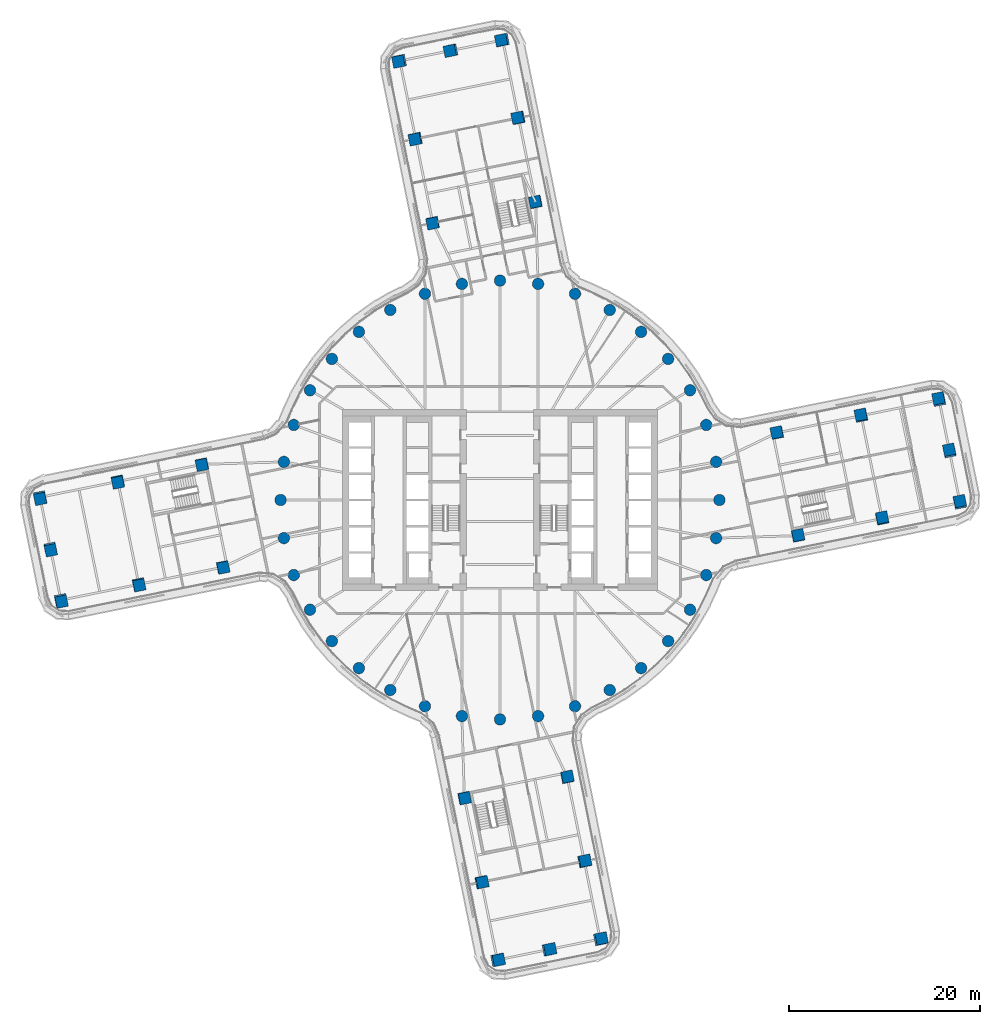
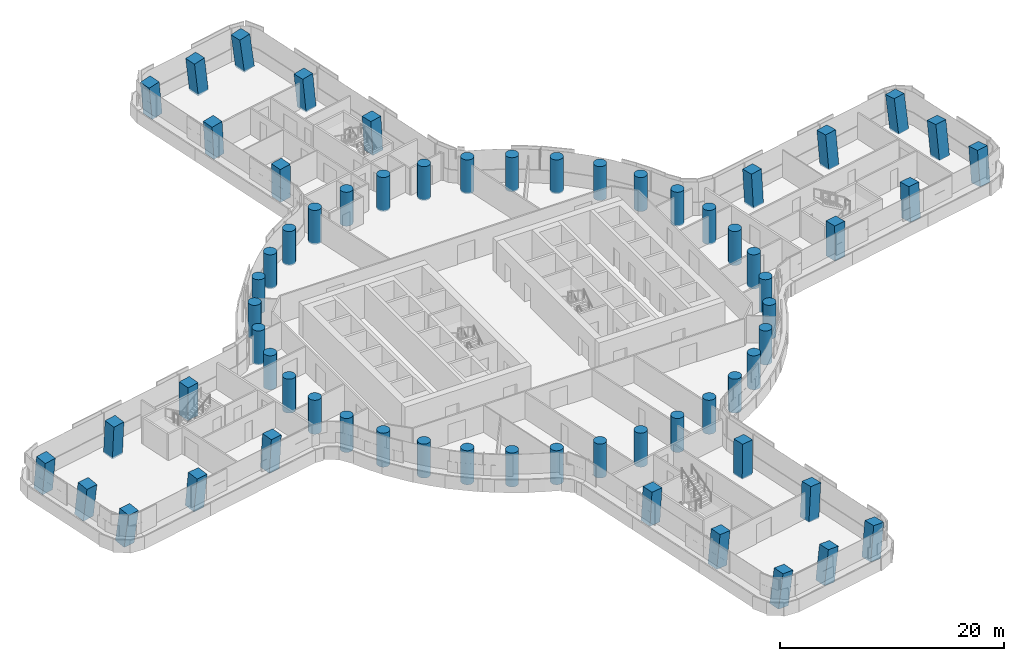
# One storey, part 1 of 31: 64 columns.
"""IFC4 building model written with IfcOpenShell, lengths in metres."""

import ifcopenshell
import ifcopenshell.guid

model = None  # the IFC model being written
_history = None  # IfcOwnerHistory: only IFC2X3 demands one
_inside = {}  # id of a spatial element -> (the spatial element, [elements in it])
_under = {}  # id of a project, library or spatial element -> (it, [spatial elements below it])
_declared = {}  # id of a project -> (the project, [libraries it declares])
_typed = {}  # id of a type object -> (the type object, [elements of that type])
_made_of = {}  # id of a material, layer set ... -> (it, [elements and type objects made of it])


def new_model(schema):
    """Start an empty IFC model of exactly this schema.

    Asked for "IFC4X3", IfcOpenShell would pick the latest addendum, in which some entities
    have other attributes; the version numbers below select the first issue.
    IFC2X3 requires an IfcOwnerHistory on every rooted entity: one is made here for all.
    """
    global model, _history
    if schema == "IFC4X3":
        model = ifcopenshell.file(schema_version=(4, 3, 0, 0))
    else:
        model = ifcopenshell.file(schema=schema)
    _inside.clear()
    _under.clear()
    _declared.clear()
    _typed.clear()
    _made_of.clear()
    _history = None
    if model.schema == "IFC2X3":
        org = make("IfcOrganization", Name="unknown")
        user = make(
            "IfcPersonAndOrganization",
            ThePerson=make("IfcPerson", FamilyName="unknown"),
            TheOrganization=org,
        )
        app = make(
            "IfcApplication",
            ApplicationDeveloper=org,
            Version="unknown",
            ApplicationFullName="unknown",
            ApplicationIdentifier="unknown",
        )
        _history = make(
            "IfcOwnerHistory",
            OwningUser=user,
            OwningApplication=app,
            ChangeAction="ADDED",
            CreationDate=0,
        )
    return model


def make(cls, **values):
    """One entity of the class cls with the attributes given. An attribute that is None is left unset."""
    return model.create_entity(
        cls, **{name: value for name, value in values.items() if value is not None}
    )


def rooted(cls, **values):
    """An entity with a GlobalId (a new one), such as an element, a storey or a relation."""
    return make(cls, GlobalId=ifcopenshell.guid.new(), OwnerHistory=_history, **values)


def si_unit(unit_type, name, prefix=None):
    """IfcSIUnit, for example si_unit("LENGTHUNIT", "METRE", prefix="MILLI")."""
    return make("IfcSIUnit", UnitType=unit_type, Prefix=prefix, Name=name)


def assignment(units):
    """IfcUnitAssignment: the units of a project."""
    return None if units is None else make("IfcUnitAssignment", Units=units)


def point(xyz):
    """IfcCartesianPoint."""
    return None if xyz is None else make("IfcCartesianPoint", Coordinates=xyz)


def direction(xyz):
    """IfcDirection."""
    return None if xyz is None else make("IfcDirection", DirectionRatios=xyz)


def frame(location, z_axis=None, x_axis=None):
    """IfcAxis2Placement3D, a coordinate frame: its origin and axes. An axis left out is left unset."""
    return make(
        "IfcAxis2Placement3D",
        Location=point(location),
        Axis=direction(z_axis),
        RefDirection=direction(x_axis),
    )


def frame_2d(location, x_axis=None):
    """IfcAxis2Placement2D, a coordinate frame in the plane: its origin and x axis."""
    return make(
        "IfcAxis2Placement2D", Location=point(location), RefDirection=direction(x_axis)
    )


def origin():
    """The frame at (0, 0, 0) with its axes left unset."""
    return frame((0.0, 0.0, 0.0))


def origin_2d():
    """The frame at (0, 0) in the plane with its x axis left unset."""
    return frame_2d((0.0, 0.0))


def place(relative_to, where):
    """IfcLocalPlacement: puts the frame where relative to a parent placement (None: the world)."""
    return make(
        "IfcLocalPlacement", PlacementRelTo=relative_to, RelativePlacement=where
    )


def context(
    kind, dimensions, precision=None, world=None, true_north=None, identifier=None
):
    """IfcGeometricRepresentationContext, for example the 3D "Model" context."""
    return make(
        "IfcGeometricRepresentationContext",
        ContextIdentifier=identifier,
        ContextType=kind,
        CoordinateSpaceDimension=dimensions,
        Precision=precision,
        WorldCoordinateSystem=world,
        TrueNorth=true_north,
    )


def subcontext(parent, identifier, kind, view, scale=None):
    """IfcGeometricRepresentationSubContext, for example "Body" below "Model"."""
    return make(
        "IfcGeometricRepresentationSubContext",
        ContextIdentifier=identifier,
        ContextType=kind,
        ParentContext=parent,
        TargetScale=scale,
        TargetView=view,
    )


def project(units=None, contexts=None):
    """IfcProject with its units and contexts."""
    return rooted(
        "IfcProject",
        Name="project",
        RepresentationContexts=contexts,
        UnitsInContext=assignment(units),
    )


def spatial(cls, under=None, at=None, **own):
    """A site, building, storey or space (cls), placed at a placement, below another one or the project."""
    s = rooted(cls, ObjectPlacement=at, **own)
    if under is not None:
        _under.setdefault(under.id(), (under, []))[1].append(s)
    return s


def profile(cls, at=None, kind="AREA", **sizes):
    """A parametric profile (cls). Its sizes go by their IFC names, for example OverallWidth=200.0."""
    return make(cls, ProfileType=kind, Position=at, **sizes)


def rectangle(**sizes):
    """IfcRectangleProfileDef."""
    return profile("IfcRectangleProfileDef", **sizes)


def circle(**sizes):
    """IfcCircleProfileDef."""
    return profile("IfcCircleProfileDef", **sizes)


def extrude(swept, where, along, depth):
    """IfcExtrudedAreaSolid: the profile swept, set in the frame where, extruded along a direction by depth."""
    return make(
        "IfcExtrudedAreaSolid",
        SweptArea=swept,
        Position=where,
        ExtrudedDirection=direction(along),
        Depth=depth,
    )


def shape(context_of_items, identifier, shape_type, items):
    """IfcShapeRepresentation: the items that make up one representation, for example the "Body"."""
    return make(
        "IfcShapeRepresentation",
        ContextOfItems=context_of_items,
        RepresentationIdentifier=identifier,
        RepresentationType=shape_type,
        Items=items,
    )


def material(Name=None, Category=None):
    """IfcMaterial."""
    return make("IfcMaterial", Name=Name, Category=Category)


def material_profile(
    of_material, cross_section, Name=None, Category=None, Priority=None
):
    """IfcMaterialProfile: a cross section and its material."""
    return make(
        "IfcMaterialProfile",
        Name=Name,
        Material=of_material,
        Profile=cross_section,
        Priority=Priority,
        Category=Category,
    )


def profile_set(profiles, Name=None, composite=None):
    """IfcMaterialProfileSet."""
    return make(
        "IfcMaterialProfileSet",
        Name=Name,
        MaterialProfiles=profiles,
        CompositeProfile=composite,
    )


def made_of(thing, what):
    """Note that an element or type object is made of a material, layer set ...; save() writes the relation."""
    if what is not None:
        _made_of.setdefault(what.id(), (what, []))[1].append(thing)
    return thing


def type_object(cls, material=None, **own):
    """A type object (cls), such as IfcWallType, which elements share."""
    return made_of(rooted(cls, **own), material)


def element(
    cls,
    number,
    at=None,
    inside=None,
    cuts=None,
    type_object=None,
    material=None,
    context=None,
    identifier="Body",
    shape_type=None,
    held_by="IfcProductDefinitionShape",
    body=None,
    shapes=None,
    **own,
):
    """One element of the class cls, such as IfcWall. Its Tag is "e" and its number.

    at: its placement. inside: the storey or other place that contains it. cuts: it is an
    opening in that element (IfcRelVoidsElement). A single representation is given by context,
    identifier, shape_type and body (its items); several are given by shapes. held_by: the class
    of the entity that holds the representations. save() writes the other relations.
    """
    e = rooted(cls, Tag="e%d" % number, ObjectPlacement=at, **own)
    if body is not None:
        shapes = [shape(context, identifier, shape_type, body)]
    if shapes is not None:
        e.Representation = make(held_by, Representations=shapes)
    if inside is not None:
        _inside.setdefault(inside.id(), (inside, []))[1].append(e)
    if cuts is not None:
        rooted(
            "IfcRelVoidsElement", RelatingBuildingElement=cuts, RelatedOpeningElement=e
        )
    if type_object is not None:
        _typed.setdefault(type_object.id(), (type_object, []))[1].append(e)
    return made_of(e, material)


def aggregate(whole, parts):
    """IfcRelAggregates: a whole, such as a stair, and the parts it consists of."""
    return rooted("IfcRelAggregates", RelatingObject=whole, RelatedObjects=parts)


def save(model, path):
    """Write the relations noted so far, then the file.

    IfcRelAggregates (storeys below a building ...), IfcRelContainedInSpatialStructure (elements
    in a storey), IfcRelDefinesByType, IfcRelAssociatesMaterial and IfcRelDeclares: one each for
    every whole, place, type object, material and project.
    """
    for whole, parts in _under.values():
        aggregate(whole, parts)
    for where, things in _inside.values():
        rooted(
            "IfcRelContainedInSpatialStructure",
            RelatedElements=things,
            RelatingStructure=where,
        )
    for kind, things in _typed.values():
        rooted("IfcRelDefinesByType", RelatedObjects=things, RelatingType=kind)
    for what, things in _made_of.values():
        rooted("IfcRelAssociatesMaterial", RelatedObjects=things, RelatingMaterial=what)
    for by, libraries in _declared.values():
        rooted("IfcRelDeclares", RelatingContext=by, RelatedDefinitions=libraries)
    model.write(path)


model = new_model("IFC4")

# Units and contexts
model_context = context("Model", 3, precision=1e-05, world=origin(), true_north=direction((0.0, 1.0)))
body_context = subcontext(model_context, "Body", "Model", "MODEL_VIEW")
ifc_project = project(units=[si_unit("LENGTHUNIT", "METRE"), si_unit("AREAUNIT", "SQUARE_METRE"), si_unit("VOLUMEUNIT", "CUBIC_METRE"), si_unit("PLANEANGLEUNIT", "RADIAN"), si_unit("MASSUNIT", "GRAM", prefix="KILO")], contexts=[model_context])

# Site, building, storey
site_placement = place(None, origin())
site = spatial("IfcSite", under=ifc_project, at=site_placement, CompositionType="ELEMENT")
building_placement = place(site_placement, origin())
building = spatial("IfcBuilding", under=site, at=building_placement, Name="Tamarind Cross Interchange Tower", CompositionType="ELEMENT")
storey_placement = place(building_placement, frame((0.0, 0.0, 75.25)))
storey = spatial("IfcBuildingStorey", under=building, at=storey_placement, Name="L17", CompositionType="ELEMENT", Elevation=75.25)

# Columns
ifc_material = material(Name="Concrete C70", Category="concrete")
ifc_material_profile_1 = material_profile(ifc_material, rectangle(XDim=1.199951171875, YDim=1.199951171875, at=origin_2d()), Name="RC 1200x1200")
ifc_profile_set_1 = profile_set([ifc_material_profile_1], Name="Concrete C70")
column_type_1 = type_object("IfcColumnType", Name="Column RC 1200x1200 Concrete C70", PredefinedType="COLUMN", material=ifc_profile_set_1)
column_1_placement = place(storey_placement, frame((37.857177734375, 8.836669921875, -0.138427734375), z_axis=(-0.043948835728, 0.07725535249, 0.996042223176), x_axis=(0.197093187203, -0.97674033462, 0.084454687756)))
element("IfcColumn", 1, at=column_1_placement, inside=storey, type_object=column_type_1, Name="Column L17-036", PredefinedType="COLUMN", context=body_context, shape_type="SweptSolid", body=[
    extrude(rectangle(XDim=1.199951171875, YDim=1.199951171875, at=origin_2d()), origin(), (0.0, 0.0, 1.0), 3.71630859375),
])
column_2_placement = place(storey_placement, frame((40.049072265625, -1.942626953125, -0.13818359375), z_axis=(0.008673247864, 0.088440845648, 0.996043669521), x_axis=(-0.979765603585, -0.198432607845, 0.026150758614)))
element("IfcColumn", 2, at=column_2_placement, inside=storey, type_object=column_type_1, Name="Column L17-037", PredefinedType="COLUMN", context=body_context, shape_type="SweptSolid", body=[
    extrude(rectangle(XDim=1.199951171875, YDim=1.199951171875, at=origin_2d()), origin(), (0.0, 0.0, 1.0), 3.715576171875),
])
column_3_placement = place(storey_placement, frame((29.03759765625, 7.04345703125, -0.138671875), z_axis=(-0.034891014198, 0.034232693176, 0.998804655499), x_axis=(0.198537646121, -0.979256198152, 0.040498166061)))
element("IfcColumn", 3, at=column_3_placement, inside=storey, type_object=column_type_1, Name="Column L17-038", PredefinedType="COLUMN", context=body_context, shape_type="SweptSolid", body=[
    extrude(rectangle(XDim=1.199951171875, YDim=1.199951171875, at=origin_2d()), origin(), (0.0, 0.0, 1.0), 3.70849609375),
])
column_4_placement = place(storey_placement, frame((31.2294921875, -3.73583984375, -0.138671875), z_axis=(0.017907556487, 0.045427257265, 0.99880713039), x_axis=(-0.979708767156, -0.198653368973, 0.026600198356)))
element("IfcColumn", 4, at=column_4_placement, inside=storey, type_object=column_type_1, Name="Column L17-039", PredefinedType="COLUMN", context=body_context, shape_type="SweptSolid", body=[
    extrude(rectangle(XDim=1.199951171875, YDim=1.199951171875, at=origin_2d()), origin(), (0.0, 0.0, 1.0), 3.708251953125),
])
column_5_placement = place(storey_placement, frame((48.2099609375, -0.283203125, -0.13818359375), z_axis=(-0.002356773352, 0.127200295059, 0.991874251383), x_axis=(-0.979992577374, -0.197697779503, 0.023024688323)))
element("IfcColumn", 5, at=column_5_placement, inside=storey, type_object=column_type_1, Name="Column L17-040", PredefinedType="COLUMN", context=body_context, shape_type="SweptSolid", body=[
    extrude(rectangle(XDim=1.199951171875, YDim=1.199951171875, at=origin_2d()), origin(), (0.0, 0.0, 1.0), 3.729248046875),
])
column_6_placement = place(storey_placement, frame((47.1142578125, 5.1064453125, -0.13818359375), z_axis=(-0.028607271039, 0.121695461927, 0.992155148447), x_axis=(0.197441138054, -0.972318457177, 0.124955251334)))
element("IfcColumn", 6, at=column_6_placement, inside=storey, type_object=column_type_1, Name="Column L17-041", PredefinedType="COLUMN", context=body_context, shape_type="SweptSolid", body=[
    extrude(rectangle(XDim=1.199951171875, YDim=1.199951171875, at=origin_2d()), origin(), (0.0, 0.0, 1.0), 3.7294921875),
])
column_7_placement = place(storey_placement, frame((46.018310546875, 10.49609375, -0.138427734375), z_axis=(-0.054848749218, 0.116046339335, 0.991728219744), x_axis=(0.1960216138, -0.972644227532, 0.124654456691)))
element("IfcColumn", 7, at=column_7_placement, inside=storey, type_object=column_type_1, Name="Column L17-042", PredefinedType="COLUMN", context=body_context, shape_type="SweptSolid", body=[
    extrude(rectangle(XDim=1.199951171875, YDim=1.199951171875, at=origin_2d()), origin(), (0.0, 0.0, 1.0), 3.72998046875),
])
column_8_placement = place(storey_placement, frame((-8.836669921875, 37.857177734375, -0.138427734375), z_axis=(-0.07725535249, -0.043948835728, 0.996042223176), x_axis=(0.97674033462, 0.197093187203, 0.084454687756)))
element("IfcColumn", 8, at=column_8_placement, inside=storey, type_object=column_type_1, Name="Column L17-043", PredefinedType="COLUMN", context=body_context, shape_type="SweptSolid", body=[
    extrude(rectangle(XDim=1.199951171875, YDim=1.199951171875, at=origin_2d()), origin(), (0.0, 0.0, 1.0), 3.71630859375),
])
column_9_placement = place(storey_placement, frame((1.942626953125, 40.049072265625, -0.13818359375), z_axis=(-0.088440845648, 0.008673247864, 0.996043669521), x_axis=(0.198432607845, -0.979765603585, 0.026150758614)))
element("IfcColumn", 9, at=column_9_placement, inside=storey, type_object=column_type_1, Name="Column L17-044", PredefinedType="COLUMN", context=body_context, shape_type="SweptSolid", body=[
    extrude(rectangle(XDim=1.199951171875, YDim=1.199951171875, at=origin_2d()), origin(), (0.0, 0.0, 1.0), 3.715576171875),
])
column_10_placement = place(storey_placement, frame((-7.04345703125, 29.03759765625, -0.138671875), z_axis=(-0.034232693176, -0.034891014198, 0.998804655499), x_axis=(0.979256198152, 0.198537646121, 0.040498166061)))
element("IfcColumn", 10, at=column_10_placement, inside=storey, type_object=column_type_1, Name="Column L17-045", PredefinedType="COLUMN", context=body_context, shape_type="SweptSolid", body=[
    extrude(rectangle(XDim=1.199951171875, YDim=1.199951171875, at=origin_2d()), origin(), (0.0, 0.0, 1.0), 3.70849609375),
])
column_11_placement = place(storey_placement, frame((3.73583984375, 31.2294921875, -0.138671875), z_axis=(-0.045427257265, 0.017907556487, 0.99880713039), x_axis=(0.198653368973, -0.979708767156, 0.026600198356)))
element("IfcColumn", 11, at=column_11_placement, inside=storey, type_object=column_type_1, Name="Column L17-046", PredefinedType="COLUMN", context=body_context, shape_type="SweptSolid", body=[
    extrude(rectangle(XDim=1.199951171875, YDim=1.199951171875, at=origin_2d()), origin(), (0.0, 0.0, 1.0), 3.708251953125),
])
column_12_placement = place(storey_placement, frame((0.283203125, 48.2099609375, -0.13818359375), z_axis=(-0.127200295059, -0.002356773352, 0.991874251383), x_axis=(0.197697779503, -0.979992577374, 0.023024688323)))
element("IfcColumn", 12, at=column_12_placement, inside=storey, type_object=column_type_1, Name="Column L17-047", PredefinedType="COLUMN", context=body_context, shape_type="SweptSolid", body=[
    extrude(rectangle(XDim=1.199951171875, YDim=1.199951171875, at=origin_2d()), origin(), (0.0, 0.0, 1.0), 3.729248046875),
])
column_13_placement = place(storey_placement, frame((-5.1064453125, 47.1142578125, -0.13818359375), z_axis=(-0.121695461927, -0.028607271039, 0.992155148447), x_axis=(0.972318457177, 0.197441138054, 0.124955251334)))
element("IfcColumn", 13, at=column_13_placement, inside=storey, type_object=column_type_1, Name="Column L17-048", PredefinedType="COLUMN", context=body_context, shape_type="SweptSolid", body=[
    extrude(rectangle(XDim=1.199951171875, YDim=1.199951171875, at=origin_2d()), origin(), (0.0, 0.0, 1.0), 3.7294921875),
])
column_14_placement = place(storey_placement, frame((-10.49609375, 46.018310546875, -0.138427734375), z_axis=(-0.116046339335, -0.054848749218, 0.991728219744), x_axis=(0.972644227532, 0.1960216138, 0.124654456691)))
element("IfcColumn", 14, at=column_14_placement, inside=storey, type_object=column_type_1, Name="Column L17-049", PredefinedType="COLUMN", context=body_context, shape_type="SweptSolid", body=[
    extrude(rectangle(XDim=1.199951171875, YDim=1.199951171875, at=origin_2d()), origin(), (0.0, 0.0, 1.0), 3.72998046875),
])
column_15_placement = place(storey_placement, frame((-37.857177734375, -8.836669921875, -0.138427734375), z_axis=(0.043948835728, -0.07725535249, 0.996042223176), x_axis=(-0.197093187203, 0.97674033462, 0.084454687756)))
element("IfcColumn", 15, at=column_15_placement, inside=storey, type_object=column_type_1, Name="Column L17-050", PredefinedType="COLUMN", context=body_context, shape_type="SweptSolid", body=[
    extrude(rectangle(XDim=1.199951171875, YDim=1.199951171875, at=origin_2d()), origin(), (0.0, 0.0, 1.0), 3.71630859375),
])
column_16_placement = place(storey_placement, frame((-40.049072265625, 1.942626953125, -0.13818359375), z_axis=(-0.008673247864, -0.088440845648, 0.996043669521), x_axis=(0.979765603585, 0.198432607845, 0.026150758614)))
element("IfcColumn", 16, at=column_16_placement, inside=storey, type_object=column_type_1, Name="Column L17-051", PredefinedType="COLUMN", context=body_context, shape_type="SweptSolid", body=[
    extrude(rectangle(XDim=1.199951171875, YDim=1.199951171875, at=origin_2d()), origin(), (0.0, 0.0, 1.0), 3.715576171875),
])
column_17_placement = place(storey_placement, frame((-29.03759765625, -7.04345703125, -0.138671875), z_axis=(0.034891014198, -0.034232693176, 0.998804655499), x_axis=(-0.198537646121, 0.979256198152, 0.040498166061)))
element("IfcColumn", 17, at=column_17_placement, inside=storey, type_object=column_type_1, Name="Column L17-052", PredefinedType="COLUMN", context=body_context, shape_type="SweptSolid", body=[
    extrude(rectangle(XDim=1.199951171875, YDim=1.199951171875, at=origin_2d()), origin(), (0.0, 0.0, 1.0), 3.70849609375),
])
column_18_placement = place(storey_placement, frame((-31.2294921875, 3.73583984375, -0.138671875), z_axis=(-0.017907556487, -0.045427257265, 0.99880713039), x_axis=(0.979708767156, 0.198653368973, 0.026600198356)))
element("IfcColumn", 18, at=column_18_placement, inside=storey, type_object=column_type_1, Name="Column L17-053", PredefinedType="COLUMN", context=body_context, shape_type="SweptSolid", body=[
    extrude(rectangle(XDim=1.199951171875, YDim=1.199951171875, at=origin_2d()), origin(), (0.0, 0.0, 1.0), 3.708251953125),
])
column_19_placement = place(storey_placement, frame((-48.2099609375, 0.283203125, -0.13818359375), z_axis=(0.002356773352, -0.127200295059, 0.991874251383), x_axis=(0.979992577374, 0.197697779503, 0.023024688323)))
element("IfcColumn", 19, at=column_19_placement, inside=storey, type_object=column_type_1, Name="Column L17-054", PredefinedType="COLUMN", context=body_context, shape_type="SweptSolid", body=[
    extrude(rectangle(XDim=1.199951171875, YDim=1.199951171875, at=origin_2d()), origin(), (0.0, 0.0, 1.0), 3.729248046875),
])
column_20_placement = place(storey_placement, frame((-47.1142578125, -5.1064453125, -0.13818359375), z_axis=(0.028607271039, -0.121695461927, 0.992155148447), x_axis=(-0.197441138054, 0.972318457177, 0.124955251334)))
element("IfcColumn", 20, at=column_20_placement, inside=storey, type_object=column_type_1, Name="Column L17-055", PredefinedType="COLUMN", context=body_context, shape_type="SweptSolid", body=[
    extrude(rectangle(XDim=1.199951171875, YDim=1.199951171875, at=origin_2d()), origin(), (0.0, 0.0, 1.0), 3.7294921875),
])
column_21_placement = place(storey_placement, frame((-46.018310546875, -10.49609375, -0.138427734375), z_axis=(0.054848749218, -0.116046339335, 0.991728219744), x_axis=(-0.1960216138, 0.972644227532, 0.124654456691)))
element("IfcColumn", 21, at=column_21_placement, inside=storey, type_object=column_type_1, Name="Column L17-056", PredefinedType="COLUMN", context=body_context, shape_type="SweptSolid", body=[
    extrude(rectangle(XDim=1.199951171875, YDim=1.199951171875, at=origin_2d()), origin(), (0.0, 0.0, 1.0), 3.72998046875),
])
column_22_placement = place(storey_placement, frame((8.836669921875, -37.857177734375, -0.138427734375), z_axis=(0.07725535249, 0.043948835728, 0.996042223176), x_axis=(-0.97674033462, -0.197093187203, 0.084454687756)))
element("IfcColumn", 22, at=column_22_placement, inside=storey, type_object=column_type_1, Name="Column L17-057", PredefinedType="COLUMN", context=body_context, shape_type="SweptSolid", body=[
    extrude(rectangle(XDim=1.199951171875, YDim=1.199951171875, at=origin_2d()), origin(), (0.0, 0.0, 1.0), 3.71630859375),
])
column_23_placement = place(storey_placement, frame((-1.942626953125, -40.049072265625, -0.13818359375), z_axis=(0.088440845648, -0.008673247864, 0.996043669521), x_axis=(-0.198432607845, 0.979765603585, 0.026150758614)))
element("IfcColumn", 23, at=column_23_placement, inside=storey, type_object=column_type_1, Name="Column L17-058", PredefinedType="COLUMN", context=body_context, shape_type="SweptSolid", body=[
    extrude(rectangle(XDim=1.199951171875, YDim=1.199951171875, at=origin_2d()), origin(), (0.0, 0.0, 1.0), 3.715576171875),
])
column_24_placement = place(storey_placement, frame((7.04345703125, -29.03759765625, -0.138671875), z_axis=(0.034232693176, 0.034891014198, 0.998804655499), x_axis=(-0.979256198152, -0.198537646121, 0.040498166061)))
element("IfcColumn", 24, at=column_24_placement, inside=storey, type_object=column_type_1, Name="Column L17-059", PredefinedType="COLUMN", context=body_context, shape_type="SweptSolid", body=[
    extrude(rectangle(XDim=1.199951171875, YDim=1.199951171875, at=origin_2d()), origin(), (0.0, 0.0, 1.0), 3.70849609375),
])
column_25_placement = place(storey_placement, frame((-3.73583984375, -31.2294921875, -0.138671875), z_axis=(0.045427257265, -0.017907556487, 0.99880713039), x_axis=(-0.198653368973, 0.979708767156, 0.026600198356)))
element("IfcColumn", 25, at=column_25_placement, inside=storey, type_object=column_type_1, Name="Column L17-060", PredefinedType="COLUMN", context=body_context, shape_type="SweptSolid", body=[
    extrude(rectangle(XDim=1.199951171875, YDim=1.199951171875, at=origin_2d()), origin(), (0.0, 0.0, 1.0), 3.708251953125),
])
column_26_placement = place(storey_placement, frame((-0.283203125, -48.2099609375, -0.13818359375), z_axis=(0.127200295059, 0.002356773352, 0.991874251383), x_axis=(-0.197697779503, 0.979992577374, 0.023024688323)))
element("IfcColumn", 26, at=column_26_placement, inside=storey, type_object=column_type_1, Name="Column L17-061", PredefinedType="COLUMN", context=body_context, shape_type="SweptSolid", body=[
    extrude(rectangle(XDim=1.199951171875, YDim=1.199951171875, at=origin_2d()), origin(), (0.0, 0.0, 1.0), 3.729248046875),
])
column_27_placement = place(storey_placement, frame((5.1064453125, -47.1142578125, -0.13818359375), z_axis=(0.121695461927, 0.028607271039, 0.992155148447), x_axis=(-0.972318457177, -0.197441138054, 0.124955251334)))
element("IfcColumn", 27, at=column_27_placement, inside=storey, type_object=column_type_1, Name="Column L17-062", PredefinedType="COLUMN", context=body_context, shape_type="SweptSolid", body=[
    extrude(rectangle(XDim=1.199951171875, YDim=1.199951171875, at=origin_2d()), origin(), (0.0, 0.0, 1.0), 3.7294921875),
])
column_28_placement = place(storey_placement, frame((10.49609375, -46.018310546875, -0.138427734375), z_axis=(0.116046339335, 0.054848749218, 0.991728219744), x_axis=(-0.972644227532, -0.1960216138, 0.124654456691)))
element("IfcColumn", 28, at=column_28_placement, inside=storey, type_object=column_type_1, Name="Column L17-063", PredefinedType="COLUMN", context=body_context, shape_type="SweptSolid", body=[
    extrude(rectangle(XDim=1.199951171875, YDim=1.199951171875, at=origin_2d()), origin(), (0.0, 0.0, 1.0), 3.72998046875),
])
ifc_material_profile_2 = material_profile(ifc_material, circle(Radius=0.60009765625, at=origin_2d()), Name="RC D1200")
ifc_profile_set_2 = profile_set([ifc_material_profile_2], Name="Concrete C70")
column_type_2 = type_object("IfcColumnType", Name="Column RC D1200 Concrete C70", PredefinedType="COLUMN", material=ifc_profile_set_2)
for number, where, z_axis, x_axis, name in (
    (29, (23.0, 0.0, -0.139892578125), (0.0, 0.0, 1.0), (1.0, 0.0, 0.0), "Column L17-000"),
    (30, (22.650634765625, 3.993896484375, -0.139892578125), (0.0, 0.0, 1.0), (1.0, 0.0, 0.0), "Column L17-001"),
    (31, (21.613037109375, 7.866455078125, -0.139892578125), (0.0, 0.0, 1.0), (1.0, 0.0, 0.0), "Column L17-002"),
    (32, (19.918701171875, 11.5, -0.139892578125), (0.0, 0.0, 1.0), (1.0, 0.0, 0.0), "Column L17-003"),
    (33, (17.619140625, 14.7841796875, -0.139892578125), (0.0, 0.0, 1.0), (1.0, 0.0, 0.0), "Column L17-004"),
    (34, (14.7841796875, 17.619140625, -0.139892578125), (0.0, 0.0, 1.0), (1.0, 0.0, 0.0), "Column L17-005"),
    (35, (11.5, 19.918701171875, -0.139892578125), (0.0, 0.0, 1.0), (1.0, 0.0, 0.0), "Column L17-006"),
    (36, (7.866455078125, 21.613037109375, -0.139892578125), (0.0, 0.0, 1.0), (1.0, 0.0, 0.0), "Column L17-007"),
    (37, (3.993896484375, 22.650634765625, -0.139892578125), (0.0, 0.0, 1.0), (1.0, 0.0, 0.0), "Column L17-008"),
    (38, (0.0, 23.0, -0.139892578125), (0.0, 0.0, 1.0), (1.0, 0.0, 0.0), "Column L17-009"),
    (39, (-3.993896484375, 22.650634765625, -0.139892578125), (0.0, 0.0, 1.0), (1.0, 0.0, 0.0), "Column L17-010"),
    (40, (-7.866455078125, 21.613037109375, -0.139892578125), (0.0, 0.0, 1.0), (1.0, 0.0, 0.0), "Column L17-011"),
    (41, (-11.5, 19.918701171875, -0.139892578125), (0.0, 0.0, 1.0), (1.0, 0.0, 0.0), "Column L17-012"),
    (42, (-14.7841796875, 17.619140625, -0.139892578125), (0.0, 0.0, 1.0), (1.0, 0.0, 0.0), "Column L17-013"),
    (43, (-17.619140625, 14.7841796875, -0.139892578125), (0.0, 0.0, 1.0), (1.0, 0.0, 0.0), "Column L17-014"),
    (44, (-19.918701171875, 11.5, -0.139892578125), (0.0, 0.0, 1.0), (1.0, 0.0, 0.0), "Column L17-015"),
    (45, (-21.613037109375, 7.866455078125, -0.139892578125), (0.0, 0.0, 1.0), (1.0, 0.0, 0.0), "Column L17-016"),
    (46, (-22.650634765625, 3.993896484375, -0.139892578125), (0.0, 0.0, 1.0), (1.0, 0.0, 0.0), "Column L17-017"),
    (47, (-23.0, 0.0, -0.139892578125), (0.0, 0.0, 1.0), (1.0, 0.0, 0.0), "Column L17-018"),
    (48, (-22.650634765625, -3.993896484375, -0.139892578125), (0.0, 0.0, 1.0), (1.0, 0.0, 0.0), "Column L17-019"),
    (49, (-21.613037109375, -7.866455078125, -0.139892578125), (0.0, 0.0, 1.0), (1.0, 0.0, 0.0), "Column L17-020"),
    (50, (-19.918701171875, -11.5, -0.139892578125), (0.0, 0.0, 1.0), (1.0, 0.0, 0.0), "Column L17-021"),
    (51, (-17.619140625, -14.7841796875, -0.139892578125), (0.0, 0.0, 1.0), (1.0, 0.0, 0.0), "Column L17-022"),
    (52, (-14.7841796875, -17.619140625, -0.139892578125), (0.0, 0.0, 1.0), (1.0, 0.0, 0.0), "Column L17-023"),
    (53, (-11.5, -19.918701171875, -0.139892578125), (0.0, 0.0, 1.0), (1.0, 0.0, 0.0), "Column L17-024"),
    (54, (-7.866455078125, -21.613037109375, -0.139892578125), (0.0, 0.0, 1.0), (1.0, 0.0, 0.0), "Column L17-025"),
    (55, (-3.993896484375, -22.650634765625, -0.139892578125), (0.0, 0.0, 1.0), (1.0, 0.0, 0.0), "Column L17-026"),
    (56, (0.0, -23.0, -0.139892578125), (0.0, 0.0, 1.0), (1.0, 0.0, 0.0), "Column L17-027"),
    (57, (3.993896484375, -22.650634765625, -0.139892578125), (0.0, 0.0, 1.0), (1.0, 0.0, 0.0), "Column L17-028"),
    (58, (7.866455078125, -21.613037109375, -0.139892578125), (0.0, 0.0, 1.0), (1.0, 0.0, 0.0), "Column L17-029"),
    (59, (11.5, -19.918701171875, -0.139892578125), (0.0, 0.0, 1.0), (1.0, 0.0, 0.0), "Column L17-030"),
    (60, (14.7841796875, -17.619140625, -0.139892578125), (0.0, 0.0, 1.0), (1.0, 0.0, 0.0), "Column L17-031"),
    (61, (17.619140625, -14.7841796875, -0.139892578125), (0.0, 0.0, 1.0), (1.0, 0.0, 0.0), "Column L17-032"),
    (62, (19.918701171875, -11.5, -0.139892578125), (0.0, 0.0, 1.0), (1.0, 0.0, 0.0), "Column L17-033"),
    (63, (21.613037109375, -7.866455078125, -0.139892578125), (0.0, 0.0, 1.0), (1.0, 0.0, 0.0), "Column L17-034"),
    (64, (22.650634765625, -3.993896484375, -0.139892578125), (0.0, 0.0, 1.0), (1.0, 0.0, 0.0), "Column L17-035"),
):
    element("IfcColumn", number, at=place(storey_placement, frame(where, z_axis=z_axis, x_axis=x_axis)), inside=storey, type_object=column_type_2, Name=name, PredefinedType="COLUMN", context=body_context, shape_type="SweptSolid", body=[
        extrude(circle(Radius=0.60009765625, at=origin_2d()), origin(), (0.0, 0.0, 1.0), 3.7099609375),
    ])

save(model, "model.ifc")
